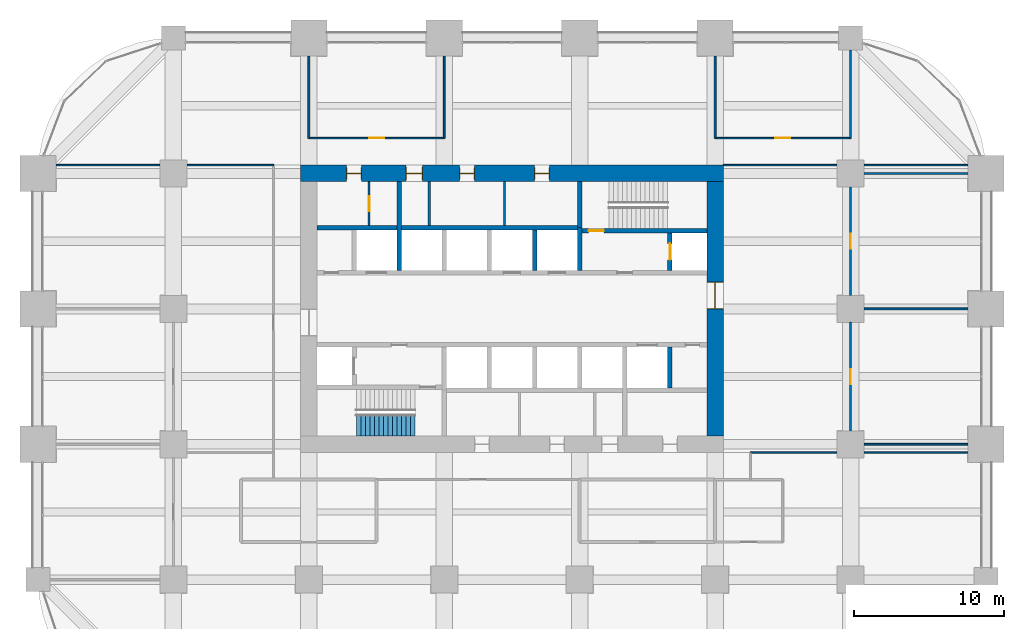
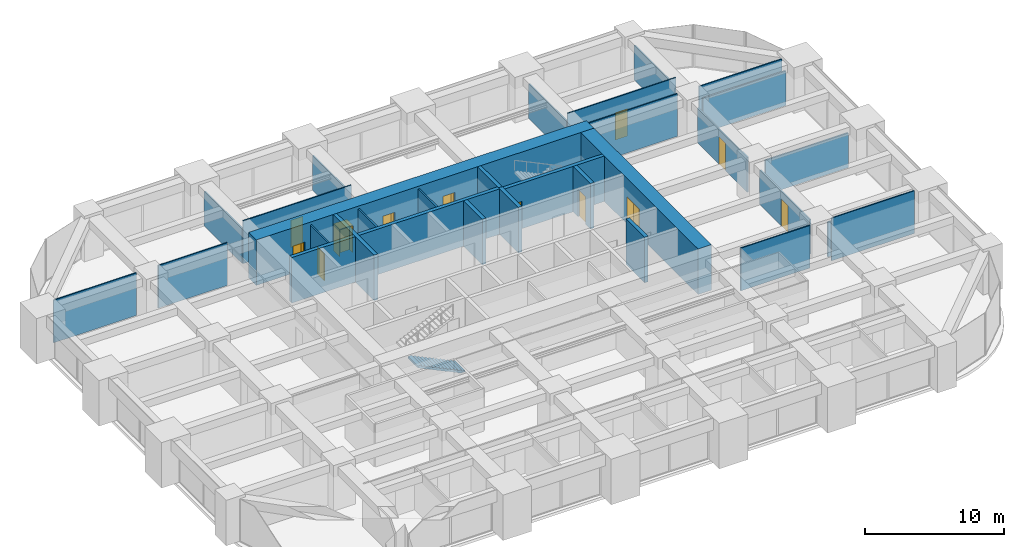
# One storey, part 38 of 40: 30 walls, 12 doors, 1 stair flight, 12 openings, 1 element without a shape of its own.
"""IFC4 building model written with IfcOpenShell, lengths in metres."""

from ifc_helpers import new_model, si_unit, direction, frame, frame_2d, origin, place, context, subcontext, project, spatial, polyline, rectangle, outline, extrude, material, layer, layer_set, type_object, element, fill, aggregate, save


model = new_model("IFC4")

# Units and contexts
model_context = context("Model", 3, precision=1e-05, world=origin(), true_north=direction((0.0, 1.0)))
body_context = subcontext(model_context, "Body", "Model", "MODEL_VIEW")
ifc_project = project(units=[si_unit("LENGTHUNIT", "METRE"), si_unit("AREAUNIT", "SQUARE_METRE"), si_unit("VOLUMEUNIT", "CUBIC_METRE"), si_unit("PLANEANGLEUNIT", "RADIAN"), si_unit("MASSUNIT", "GRAM", prefix="KILO")], contexts=[model_context])

# Site, building, storey
site_placement = place(None, origin())
site = spatial("IfcSite", under=ifc_project, at=site_placement, CompositionType="ELEMENT")
building_placement = place(site_placement, origin())
building = spatial("IfcBuilding", under=site, at=building_placement, Name="Zorevar Civic Tower", CompositionType="ELEMENT")
storey_placement = place(building_placement, frame((0.0, 0.0, 133.0)))
storey = spatial("IfcBuildingStorey", under=building, at=storey_placement, Name="L32", CompositionType="ELEMENT", Elevation=133.0)

# Wall, openings, doors
ifc_material_1 = material(Name="Concrete C50/60", Category="concrete")
ifc_layer_1 = layer(ifc_material_1, 1.10009765625)
ifc_layer_set_1 = layer_set([ifc_layer_1], Name="Core wall 1100")
wall_type_1 = type_object("IfcWallType", Name="Core wall 1100", PredefinedType="SHEAR", material=ifc_layer_set_1)
wall_1_placement = place(storey_placement, frame((45.550048828125, 36.0, 0.0), z_axis=(0.0, 0.0, 1.0), x_axis=(-1.0, 0.0, 0.0)))
wall_1 = element("IfcWall", 1, at=wall_1_placement, inside=storey, type_object=wall_type_1, Name="Core wall N L32", PredefinedType="SHEAR", context=body_context, shape_type="SweptSolid", body=[
    extrude(rectangle(XDim=28.10009765625, YDim=1.10009765625, at=frame_2d((14.050048828125, 0.0))), origin(), (0.0, 0.0, 1.0), 4.0),
])
opening_1_placement = place(wall_1_placement, frame((11.550048828125, 0.0, 0.0)))
opening_1 = element("IfcOpeningElement", 2, at=opening_1_placement, cuts=wall_1, Name="Opening L32.07", PredefinedType="OPENING", context=body_context, shape_type="SweptSolid", body=[
    extrude(rectangle(XDim=1.0, YDim=2.39990234375, at=frame_2d((0.5, 1.199951171875))), frame((0.0, 0.56005859375, 0.0), z_axis=(0.0, -1.0, 0.0), x_axis=(1.0, 0.0, 0.0)), (0.0, 0.0, 1.0), 1.1201171875),
])
opening_2_placement = place(wall_1_placement, frame((16.550048828125, 0.0, 0.0)))
opening_2 = element("IfcOpeningElement", 3, at=opening_2_placement, cuts=wall_1, Name="Opening L32.08", PredefinedType="OPENING", context=body_context, shape_type="SweptSolid", body=[
    extrude(rectangle(XDim=1.0, YDim=2.39990234375, at=frame_2d((0.5, 1.199951171875))), frame((0.0, 0.56005859375, 0.0), z_axis=(0.0, -1.0, 0.0), x_axis=(1.0, 0.0, 0.0)), (0.0, 0.0, 1.0), 1.1201171875),
])
opening_3_placement = place(wall_1_placement, frame((20.0, 0.0, 0.0)))
opening_3 = element("IfcOpeningElement", 4, at=opening_3_placement, cuts=wall_1, Name="Opening L32.09", PredefinedType="OPENING", context=body_context, shape_type="SweptSolid", body=[
    extrude(rectangle(XDim=1.10009765625, YDim=2.39990234375, at=frame_2d((0.550048828125, 1.199951171875))), frame((0.0, 0.56005859375, 0.0), z_axis=(0.0, -1.0, 0.0), x_axis=(1.0, 0.0, 0.0)), (0.0, 0.0, 1.0), 1.1201171875),
])
opening_4_placement = place(wall_1_placement, frame((24.050048828125, 0.0, 0.0)))
opening_4 = element("IfcOpeningElement", 5, at=opening_4_placement, cuts=wall_1, Name="Opening L32.10", PredefinedType="OPENING", context=body_context, shape_type="SweptSolid", body=[
    extrude(rectangle(XDim=1.0, YDim=2.39990234375, at=frame_2d((0.5, 1.199951171875))), frame((0.0, 0.56005859375, 0.0), z_axis=(0.0, -1.0, 0.0), x_axis=(1.0, 0.0, 0.0)), (0.0, 0.0, 1.0), 1.1201171875),
])
ifc_material_2 = material(Name="Timber door set", Category="wood")
door_type_1 = type_object("IfcDoorType", Name="Door D1 1000x2400", OperationType="SINGLE_SWING_LEFT", PredefinedType="DOOR", material=ifc_material_2)
door_1_placement = place(opening_1_placement, origin())
door_1 = element("IfcDoor", 6, at=door_1_placement, inside=storey, type_object=door_type_1, Name="Door L32 06", OperationType="SINGLE_SWING_LEFT", OverallHeight=2.39990234375, OverallWidth=1.0, PredefinedType="DOOR", context=body_context, shape_type="SweptSolid", body=[
    extrude(rectangle(XDim=1.0, YDim=2.39990234375, at=frame_2d((0.5, 1.199951171875))), frame((0.0, 0.02490234375, 0.0), z_axis=(0.0, -1.0, 0.0), x_axis=(1.0, 0.0, 0.0)), (0.0, 0.0, 1.0), 0.050048828125),
    extrude(rectangle(XDim=0.04, YDim=2.39990234375, at=frame_2d((0.02001953125, 1.199951171875))), frame((0.0, 0.39990234375, 0.0), z_axis=(0.0, -1.0, 0.0), x_axis=(1.0, 0.0, 0.0)), (0.0, 0.0, 1.0), 0.800048828125),
    extrude(rectangle(XDim=0.04, YDim=2.39990234375, at=frame_2d((0.97998046875, 1.199951171875))), frame((0.0, 0.39990234375, 0.0), z_axis=(0.0, -1.0, 0.0), x_axis=(1.0, 0.0, 0.0)), (0.0, 0.0, 1.0), 0.800048828125),
    extrude(rectangle(XDim=1.0, YDim=0.04, at=frame_2d((0.5, 2.3798828125))), frame((0.0, 0.39990234375, 0.0), z_axis=(0.0, -1.0, 0.0), x_axis=(1.0, 0.0, 0.0)), (0.0, 0.0, 1.0), 0.800048828125),
])
fill(opening_1, door_1)
door_2_placement = place(opening_2_placement, origin())
door_2 = element("IfcDoor", 7, at=door_2_placement, inside=storey, type_object=door_type_1, Name="Door L32 07", OperationType="SINGLE_SWING_RIGHT", OverallHeight=2.39990234375, OverallWidth=1.0, PredefinedType="DOOR", context=body_context, shape_type="SweptSolid", body=[
    extrude(rectangle(XDim=1.0, YDim=2.39990234375, at=frame_2d((0.5, 1.199951171875))), frame((0.0, 0.02490234375, 0.0), z_axis=(0.0, -1.0, 0.0), x_axis=(1.0, 0.0, 0.0)), (0.0, 0.0, 1.0), 0.050048828125),
    extrude(rectangle(XDim=0.04, YDim=2.39990234375, at=frame_2d((0.02001953125, 1.199951171875))), frame((0.0, 0.39990234375, 0.0), z_axis=(0.0, -1.0, 0.0), x_axis=(1.0, 0.0, 0.0)), (0.0, 0.0, 1.0), 0.800048828125),
    extrude(rectangle(XDim=0.04, YDim=2.39990234375, at=frame_2d((0.97998046875, 1.199951171875))), frame((0.0, 0.39990234375, 0.0), z_axis=(0.0, -1.0, 0.0), x_axis=(1.0, 0.0, 0.0)), (0.0, 0.0, 1.0), 0.800048828125),
    extrude(rectangle(XDim=1.0, YDim=0.04, at=frame_2d((0.5, 2.3798828125))), frame((0.0, 0.39990234375, 0.0), z_axis=(0.0, -1.0, 0.0), x_axis=(1.0, 0.0, 0.0)), (0.0, 0.0, 1.0), 0.800048828125),
])
fill(opening_2, door_2)
door_3_placement = place(opening_4_placement, origin())
door_3 = element("IfcDoor", 8, at=door_3_placement, inside=storey, type_object=door_type_1, Name="Door L32 09", OperationType="SINGLE_SWING_RIGHT", OverallHeight=2.39990234375, OverallWidth=1.0, PredefinedType="DOOR", context=body_context, shape_type="SweptSolid", body=[
    extrude(rectangle(XDim=1.0, YDim=2.39990234375, at=frame_2d((0.5, 1.199951171875))), frame((0.0, 0.02490234375, 0.0), z_axis=(0.0, -1.0, 0.0), x_axis=(1.0, 0.0, 0.0)), (0.0, 0.0, 1.0), 0.050048828125),
    extrude(rectangle(XDim=0.04, YDim=2.39990234375, at=frame_2d((0.02001953125, 1.199951171875))), frame((0.0, 0.39990234375, 0.0), z_axis=(0.0, -1.0, 0.0), x_axis=(1.0, 0.0, 0.0)), (0.0, 0.0, 1.0), 0.800048828125),
    extrude(rectangle(XDim=0.04, YDim=2.39990234375, at=frame_2d((0.97998046875, 1.199951171875))), frame((0.0, 0.39990234375, 0.0), z_axis=(0.0, -1.0, 0.0), x_axis=(1.0, 0.0, 0.0)), (0.0, 0.0, 1.0), 0.800048828125),
    extrude(rectangle(XDim=1.0, YDim=0.04, at=frame_2d((0.5, 2.3798828125))), frame((0.0, 0.39990234375, 0.0), z_axis=(0.0, -1.0, 0.0), x_axis=(1.0, 0.0, 0.0)), (0.0, 0.0, 1.0), 0.800048828125),
])
fill(opening_4, door_3)
ifc_material_3 = material(Name="Timber door set", Category="wood")
door_type_2 = type_object("IfcDoorType", Name="Door D5 1100x2400", OperationType="SINGLE_SWING_LEFT", PredefinedType="DOOR", material=ifc_material_3)
door_4_placement = place(opening_3_placement, origin())
door_4 = element("IfcDoor", 9, at=door_4_placement, inside=storey, type_object=door_type_2, Name="Door L32 08", OperationType="SINGLE_SWING_RIGHT", OverallHeight=2.39990234375, OverallWidth=1.10009765625, PredefinedType="DOOR", context=body_context, shape_type="SweptSolid", body=[
    extrude(rectangle(XDim=1.10009765625, YDim=2.39990234375, at=frame_2d((0.550048828125, 1.199951171875))), frame((0.0, 0.02490234375, 0.0), z_axis=(0.0, -1.0, 0.0), x_axis=(1.0, 0.0, 0.0)), (0.0, 0.0, 1.0), 0.050048828125),
    extrude(rectangle(XDim=0.04, YDim=2.39990234375, at=frame_2d((0.02001953125, 1.199951171875))), frame((0.0, 0.43994140625, 0.0), z_axis=(0.0, -1.0, 0.0), x_axis=(1.0, 0.0, 0.0)), (0.0, 0.0, 1.0), 0.880126953125),
    extrude(rectangle(XDim=0.04, YDim=2.39990234375, at=frame_2d((1.080078125, 1.199951171875))), frame((0.0, 0.43994140625, 0.0), z_axis=(0.0, -1.0, 0.0), x_axis=(1.0, 0.0, 0.0)), (0.0, 0.0, 1.0), 0.880126953125),
    extrude(rectangle(XDim=1.10009765625, YDim=0.04, at=frame_2d((0.550048828125, 2.3798828125))), frame((0.0, 0.43994140625, 0.0), z_axis=(0.0, -1.0, 0.0), x_axis=(1.0, 0.0, 0.0)), (0.0, 0.0, 1.0), 0.880126953125),
])
fill(opening_3, door_4)

# Wall, opening, door
wall_2_placement = place(storey_placement, frame((45.0, 18.550048828125, 0.0), z_axis=(0.0, 0.0, 1.0), x_axis=(0.0, 1.0, 0.0)))
wall_2 = element("IfcWall", 10, at=wall_2_placement, inside=storey, type_object=wall_type_1, Name="Core wall E L32", PredefinedType="SHEAR", context=body_context, shape_type="SweptSolid", body=[
    extrude(rectangle(XDim=16.89990234375, YDim=1.10009765625, at=frame_2d((8.449951171875, 0.0))), origin(), (0.0, 0.0, 1.0), 4.0),
])
opening_5_placement = place(wall_2_placement, frame((8.449951171875, 0.0, 0.0)))
opening_5 = element("IfcOpeningElement", 11, at=opening_5_placement, cuts=wall_2, Name="Opening L32.02", PredefinedType="OPENING", context=body_context, shape_type="SweptSolid", body=[
    extrude(rectangle(XDim=1.800048828125, YDim=2.39990234375, at=frame_2d((0.89990234375, 1.199951171875))), frame((0.0, 0.56005859375, 0.0), z_axis=(0.0, -1.0, 0.0), x_axis=(1.0, 0.0, 0.0)), (0.0, 0.0, 1.0), 1.1201171875),
])
ifc_material_4 = material(Name="Steel door set", Category="steel")
door_type_3 = type_object("IfcDoorType", Name="Fire door FD2 1800x2400", OperationType="DOUBLE_DOOR_DOUBLE_SWING", PredefinedType="DOOR", material=ifc_material_4)
door_5_placement = place(opening_5_placement, origin())
door_5 = element("IfcDoor", 12, at=door_5_placement, inside=storey, type_object=door_type_3, Name="Door L32 01", OperationType="DOUBLE_DOOR_DOUBLE_SWING", OverallHeight=2.39990234375, OverallWidth=1.800048828125, PredefinedType="DOOR", context=body_context, shape_type="SweptSolid", body=[
    extrude(rectangle(XDim=1.800048828125, YDim=2.39990234375, at=frame_2d((0.89990234375, 1.199951171875))), frame((0.0, 0.030029296875, 0.0), z_axis=(0.0, -1.0, 0.0), x_axis=(1.0, 0.0, 0.0)), (0.0, 0.0, 1.0), 0.06005859375),
    extrude(rectangle(XDim=0.04, YDim=2.39990234375, at=frame_2d((0.02001953125, 1.199951171875))), frame((0.0, 0.5498046875, 0.0), z_axis=(0.0, -1.0, 0.0), x_axis=(1.0, 0.0, 0.0)), (0.0, 0.0, 1.0), 1.099609375),
    extrude(rectangle(XDim=0.04, YDim=2.39990234375, at=frame_2d((1.780029296875, 1.199951171875))), frame((0.0, 0.5498046875, 0.0), z_axis=(0.0, -1.0, 0.0), x_axis=(1.0, 0.0, 0.0)), (0.0, 0.0, 1.0), 1.099609375),
    extrude(rectangle(XDim=1.800048828125, YDim=0.04, at=frame_2d((0.89990234375, 2.3798828125))), frame((0.0, 0.5498046875, 0.0), z_axis=(0.0, -1.0, 0.0), x_axis=(1.0, 0.0, 0.0)), (0.0, 0.0, 1.0), 1.099609375),
])
fill(opening_5, door_5)

# Walls
ifc_material_5 = material(Name="Laminated glass in black aluminium frame", Category="aluminium")
ifc_layer_2 = layer(ifc_material_5, 0.10009765625)
ifc_layer_set_2 = layer_set([ifc_layer_2], Name="Glazed partition 100")
wall_type_2 = type_object("IfcWallType", Name="Glazed partition 100", PredefinedType="PARTITIONING", material=ifc_layer_set_2)
wall_3_placement = place(storey_placement, frame((47.35009765625, 17.449951171875, 0.0), z_axis=(0.0, 0.0, 1.0), x_axis=(1.0, 0.0, 0.0)))
element("IfcWall", 13, at=wall_3_placement, inside=storey, type_object=wall_type_2, Name="Glazed partition 100 L32", PredefinedType="PARTITIONING", context=body_context, shape_type="SweptSolid", body=[
    extrude(rectangle(XDim=5.75, YDim=0.10009765625, at=frame_2d((2.875, 0.0))), origin(), (0.0, 0.0, 1.0), 3.75),
])
for number, where, z_axis, x_axis, name in (
    (14, (54.89990234375, 17.449951171875, 0.0), (0.0, 0.0, 1.0), (1.0, 0.0, 0.0), "Glazed partition 100 L32"),
    (15, (1.199951171875, 36.550048828125, 0.0), (0.0, 0.0, 1.0), (1.0, 0.0, 0.0), "Glazed partition 100 L32"),
):
    element("IfcWall", number, at=place(storey_placement, frame(where, z_axis=z_axis, x_axis=x_axis)), inside=storey, type_object=wall_type_2, Name=name, PredefinedType="PARTITIONING", context=body_context, shape_type="SweptSolid", body=[
        extrude(rectangle(XDim=6.900146484375, YDim=0.10009765625, at=frame_2d((3.4501953125, 0.0))), origin(), (0.0, 0.0, 1.0), 3.75),
    ])
wall_4_placement = place(storey_placement, frame((9.89990234375, 36.550048828125, 0.0), z_axis=(0.0, 0.0, 1.0), x_axis=(1.0, 0.0, 0.0)))
element("IfcWall", 16, at=wall_4_placement, inside=storey, type_object=wall_type_2, Name="Glazed partition 100 L32", PredefinedType="PARTITIONING", context=body_context, shape_type="SweptSolid", body=[
    extrude(rectangle(XDim=5.75, YDim=0.10009765625, at=frame_2d((2.875, 0.0))), origin(), (0.0, 0.0, 1.0), 3.75),
])
wall_5_placement = place(storey_placement, frame((45.550048828125, 36.550048828125, 0.0), z_axis=(0.0, 0.0, 1.0), x_axis=(1.0, 0.0, 0.0)))
element("IfcWall", 17, at=wall_5_placement, inside=storey, type_object=wall_type_2, Name="Glazed partition 100 L32", PredefinedType="PARTITIONING", context=body_context, shape_type="SweptSolid", body=[
    extrude(rectangle(XDim=7.550048828125, YDim=0.10009765625, at=frame_2d((3.77490234375, 0.0))), origin(), (0.0, 0.0, 1.0), 3.75),
])
wall_6_placement = place(storey_placement, frame((54.89990234375, 36.550048828125, 0.0), z_axis=(0.0, 0.0, 1.0), x_axis=(1.0, 0.0, 0.0)))
element("IfcWall", 18, at=wall_6_placement, inside=storey, type_object=wall_type_2, Name="Glazed partition 100 L32", PredefinedType="PARTITIONING", context=body_context, shape_type="SweptSolid", body=[
    extrude(rectangle(XDim=6.900146484375, YDim=0.10009765625, at=frame_2d((3.4501953125, 0.0))), origin(), (0.0, 0.0, 1.0), 3.75),
])

# Wall, opening, door
wall_7_placement = place(storey_placement, frame((18.0, 38.35009765625, 0.0), z_axis=(0.0, 0.0, 1.0), x_axis=(1.0, 0.0, 0.0)))
wall_7 = element("IfcWall", 19, at=wall_7_placement, inside=storey, type_object=wall_type_2, Name="Glazed partition 100 L32", PredefinedType="PARTITIONING", context=body_context, shape_type="SweptSolid", body=[
    extrude(rectangle(XDim=9.0, YDim=0.10009765625, at=frame_2d((4.5, 0.0))), origin(), (0.0, 0.0, 1.0), 3.75),
])
opening_6_placement = place(wall_7_placement, frame((4.0, 0.0, 0.0)))
opening_6 = element("IfcOpeningElement", 20, at=opening_6_placement, cuts=wall_7, Name="Opening L32.31", PredefinedType="OPENING", context=body_context, shape_type="SweptSolid", body=[
    extrude(rectangle(XDim=1.0, YDim=2.39990234375, at=frame_2d((0.5, 1.199951171875))), frame((0.0, 0.06005859375, 0.0), z_axis=(0.0, -1.0, 0.0), x_axis=(1.0, 0.0, 0.0)), (0.0, 0.0, 1.0), 0.1201171875),
])
ifc_material_6 = material(Name="Timber door set", Category="wood")
door_type_4 = type_object("IfcDoorType", Name="Glazed door GD1 1000x2400", OperationType="SINGLE_SWING_LEFT", PredefinedType="DOOR", material=ifc_material_6)
door_6_placement = place(opening_6_placement, origin())
door_6 = element("IfcDoor", 21, at=door_6_placement, inside=storey, type_object=door_type_4, Name="Door L32 D1", OperationType="SINGLE_SWING_LEFT", OverallHeight=2.39990234375, OverallWidth=1.0, PredefinedType="DOOR", context=body_context, shape_type="SweptSolid", body=[
    extrude(rectangle(XDim=1.0, YDim=2.39990234375, at=frame_2d((0.5, 1.199951171875))), frame((0.0, 0.02001953125, 0.0), z_axis=(0.0, -1.0, 0.0), x_axis=(1.0, 0.0, 0.0)), (0.0, 0.0, 1.0), 0.0400390625),
])
fill(opening_6, door_6)

wall_8_placement = place(storey_placement, frame((45.0, 38.35009765625, 0.0), z_axis=(0.0, 0.0, 1.0), x_axis=(1.0, 0.0, 0.0)))
wall_8 = element("IfcWall", 22, at=wall_8_placement, inside=storey, type_object=wall_type_2, Name="Glazed partition 100 L32", PredefinedType="PARTITIONING", context=body_context, shape_type="SweptSolid", body=[
    extrude(rectangle(XDim=9.0, YDim=0.10009765625, at=frame_2d((4.5, 0.0))), origin(), (0.0, 0.0, 1.0), 3.75),
])
opening_7_placement = place(wall_8_placement, frame((4.0, 0.0, 0.0)))
opening_7 = element("IfcOpeningElement", 23, at=opening_7_placement, cuts=wall_8, Name="Opening L32.32", PredefinedType="OPENING", context=body_context, shape_type="SweptSolid", body=[
    extrude(rectangle(XDim=1.0, YDim=2.39990234375, at=frame_2d((0.5, 1.199951171875))), frame((0.0, 0.06005859375, 0.0), z_axis=(0.0, -1.0, 0.0), x_axis=(1.0, 0.0, 0.0)), (0.0, 0.0, 1.0), 0.1201171875),
])
door_7_placement = place(opening_7_placement, origin())
door_7 = element("IfcDoor", 24, at=door_7_placement, inside=storey, type_object=door_type_4, Name="Door L32 D1", OperationType="SINGLE_SWING_RIGHT", OverallHeight=2.39990234375, OverallWidth=1.0, PredefinedType="DOOR", context=body_context, shape_type="SweptSolid", body=[
    extrude(rectangle(XDim=1.0, YDim=2.39990234375, at=frame_2d((0.5, 1.199951171875))), frame((0.0, 0.02001953125, 0.0), z_axis=(0.0, -1.0, 0.0), x_axis=(1.0, 0.0, 0.0)), (0.0, 0.0, 1.0), 0.0400390625),
])
fill(opening_7, door_7)

ifc_material_7 = material(Name="Concrete C40/50", Category="concrete")
ifc_layer_3 = layer(ifc_material_7, 0.300048828125)
ifc_layer_set_3 = layer_set([ifc_layer_3], Name="Inner core wall 300")
wall_type_3 = type_object("IfcWallType", Name="Inner core wall 300", PredefinedType="SHEAR", material=ifc_layer_set_3)
wall_9_placement = place(storey_placement, frame((36.14990234375, 32.199951171875, 0.0), z_axis=(0.0, 0.0, 1.0), x_axis=(1.0, 0.0, 0.0)))
wall_9 = element("IfcWall", 25, at=wall_9_placement, inside=storey, type_object=wall_type_3, Name="Inner core wall N00 L32", PredefinedType="SHEAR", context=body_context, shape_type="SweptSolid", body=[
    extrude(rectangle(XDim=8.300048828125, YDim=0.300048828125, at=frame_2d((4.14990234375, 0.0))), origin(), (0.0, 0.0, 1.0), 4.0),
])
opening_8_placement = place(wall_9_placement, frame((0.449951171875, 0.0, 0.0)))
opening_8 = element("IfcOpeningElement", 26, at=opening_8_placement, cuts=wall_9, Name="Opening L32.12", PredefinedType="OPENING", context=body_context, shape_type="SweptSolid", body=[
    extrude(rectangle(XDim=1.0, YDim=2.39990234375, at=frame_2d((0.5, 1.199951171875))), frame((0.0, 0.159912109375, 0.0), z_axis=(0.0, -1.0, 0.0), x_axis=(1.0, 0.0, 0.0)), (0.0, 0.0, 1.0), 0.320068359375),
])
ifc_material_8 = material(Name="Steel door set", Category="steel")
door_type_5 = type_object("IfcDoorType", Name="Fire door FD1 1000x2400", OperationType="SINGLE_SWING_LEFT", PredefinedType="DOOR", material=ifc_material_8)
door_8_placement = place(opening_8_placement, origin())
door_8 = element("IfcDoor", 27, at=door_8_placement, inside=storey, type_object=door_type_5, Name="Door L32 11", OperationType="SINGLE_SWING_RIGHT", OverallHeight=2.39990234375, OverallWidth=1.0, PredefinedType="DOOR", context=body_context, shape_type="SweptSolid", body=[
    extrude(rectangle(XDim=1.0, YDim=2.39990234375, at=frame_2d((0.5, 1.199951171875))), frame((0.0, 0.030029296875, 0.0), z_axis=(0.0, -1.0, 0.0), x_axis=(1.0, 0.0, 0.0)), (0.0, 0.0, 1.0), 0.06005859375),
])
fill(opening_8, door_8)

# Wall
wall_10_placement = place(storey_placement, frame((36.0, 32.39990234375, 0.0), z_axis=(0.0, 0.0, 1.0), x_axis=(0.0, 1.0, 0.0)))
element("IfcWall", 28, at=wall_10_placement, inside=storey, type_object=wall_type_3, Name="Inner core wall N01 L32", PredefinedType="SHEAR", context=body_context, shape_type="SweptSolid", body=[
    extrude(rectangle(XDim=3.050048828125, YDim=0.300048828125, at=frame_2d((1.52490234375, 0.0))), origin(), (0.0, 0.0, 1.0), 4.0),
])

# Wall, opening, door
wall_11_placement = place(storey_placement, frame((42.0, 29.550048828125, 0.0), z_axis=(0.0, 0.0, 1.0), x_axis=(0.0, 1.0, 0.0)))
wall_11 = element("IfcWall", 29, at=wall_11_placement, inside=storey, type_object=wall_type_3, Name="Inner core wall N02 L32", PredefinedType="SHEAR", context=body_context, shape_type="SweptSolid", body=[
    extrude(rectangle(XDim=2.5, YDim=0.300048828125, at=frame_2d((1.25, 0.0))), origin(), (0.0, 0.0, 1.0), 4.0),
])
opening_9_placement = place(wall_11_placement, frame((0.699951171875, 0.0, 0.0)))
opening_9 = element("IfcOpeningElement", 30, at=opening_9_placement, cuts=wall_11, Name="Opening L32.FL2", PredefinedType="OPENING", context=body_context, shape_type="SweptSolid", body=[
    extrude(rectangle(XDim=1.10009765625, YDim=2.39990234375, at=frame_2d((0.550048828125, 1.199951171875))), frame((0.0, 0.159912109375, 0.0), z_axis=(0.0, -1.0, 0.0), x_axis=(1.0, 0.0, 0.0)), (0.0, 0.0, 1.0), 0.320068359375),
])
ifc_material_9 = material(Name="Steel door set", Category="steel")
door_type_6 = type_object("IfcDoorType", Name="Firefighting lift landing door LD3 1100x2400", OperationType="DOUBLE_DOOR_SLIDING", PredefinedType="DOOR", material=ifc_material_9)
door_9_placement = place(opening_9_placement, origin())
door_9 = element("IfcDoor", 31, at=door_9_placement, inside=storey, type_object=door_type_6, Name="Landing door FL2 L32", OperationType="DOUBLE_DOOR_SLIDING", OverallHeight=2.39990234375, OverallWidth=1.10009765625, PredefinedType="DOOR", context=body_context, shape_type="SweptSolid", body=[
    extrude(rectangle(XDim=1.10009765625, YDim=2.39990234375, at=frame_2d((0.550048828125, 1.199951171875))), frame((0.0, 0.030029296875, 0.0), z_axis=(0.0, -1.0, 0.0), x_axis=(1.0, 0.0, 0.0)), (0.0, 0.0, 1.0), 0.06005859375),
])
fill(opening_9, door_9)

# Walls
wall_12_placement = place(storey_placement, frame((18.550048828125, 32.39990234375, 0.0), z_axis=(0.0, 0.0, 1.0), x_axis=(1.0, 0.0, 0.0)))
element("IfcWall", 32, at=wall_12_placement, inside=storey, type_object=wall_type_3, Name="Inner core wall N04 L32", PredefinedType="SHEAR", context=body_context, shape_type="SweptSolid", body=[
    extrude(rectangle(XDim=17.300048828125, YDim=0.300048828125, at=frame_2d((8.64990234375, 0.0))), origin(), (0.0, 0.0, 1.0), 4.0),
])
wall_13_placement = place(storey_placement, frame((33.0, 29.550048828125, 0.0), z_axis=(0.0, 0.0, 1.0), x_axis=(0.0, 1.0, 0.0)))
element("IfcWall", 33, at=wall_13_placement, inside=storey, type_object=wall_type_3, Name="Inner core wall N05 L32", PredefinedType="SHEAR", context=body_context, shape_type="SweptSolid", body=[
    extrude(rectangle(XDim=2.699951171875, YDim=0.300048828125, at=frame_2d((1.35009765625, 0.0))), origin(), (0.0, 0.0, 1.0), 4.0),
])
wall_14_placement = place(storey_placement, frame((24.0, 29.550048828125, 0.0), z_axis=(0.0, 0.0, 1.0), x_axis=(0.0, 1.0, 0.0)))
element("IfcWall", 34, at=wall_14_placement, inside=storey, type_object=wall_type_3, Name="Inner core wall N08 L32", PredefinedType="SHEAR", context=body_context, shape_type="SweptSolid", body=[
    extrude(rectangle(XDim=5.89990234375, YDim=0.300048828125, at=frame_2d((2.949951171875, 0.0))), origin(), (0.0, 0.0, 1.0), 4.0),
])
wall_15_placement = place(storey_placement, frame((42.0, 21.75, 0.0), z_axis=(0.0, 0.0, 1.0), x_axis=(0.0, 1.0, 0.0)))
element("IfcWall", 35, at=wall_15_placement, inside=storey, type_object=wall_type_3, Name="Inner core wall S09 L32", PredefinedType="SHEAR", context=body_context, shape_type="SweptSolid", body=[
    extrude(rectangle(XDim=2.699951171875, YDim=0.300048828125, at=frame_2d((1.35009765625, 0.0))), origin(), (0.0, 0.0, 1.0), 4.0),
])
wall_16_placement = place(storey_placement, frame((36.0, 29.550048828125, 0.0), z_axis=(0.0, 0.0, 1.0), x_axis=(0.0, 1.0, 0.0)))
element("IfcWall", 36, at=wall_16_placement, inside=storey, type_object=wall_type_3, Name="Inner core wall N10 L32", PredefinedType="SHEAR", context=body_context, shape_type="SweptSolid", body=[
    extrude(rectangle(XDim=2.849853515625, YDim=0.300048828125, at=frame_2d((1.4248046875, 0.0))), origin(), (0.0, 0.0, 1.0), 4.0),
])
ifc_material_10 = material(Name="Gypsum board on steel studs", Category="steel")
ifc_layer_4 = layer(ifc_material_10, 0.1201171875)
ifc_layer_set_4 = layer_set([ifc_layer_4], Name="Partition 120")
wall_type_4 = type_object("IfcWallType", Name="Partition 120", PredefinedType="PARTITIONING", material=ifc_layer_set_4)
for number, where, z_axis, x_axis, name in (
    (37, (54.89990234375, 18.0, 0.0), (0.0, 0.0, 1.0), (1.0, 0.0, 0.0), "Partition 120 L32"),
    (38, (54.89990234375, 27.0, 0.0), (0.0, 0.0, 1.0), (1.0, 0.0, 0.0), "Partition 120 L32"),
    (39, (54.89990234375, 36.0, 0.0), (0.0, 0.0, 1.0), (1.0, 0.0, 0.0), "Partition 120 L32"),
):
    element("IfcWall", number, at=place(storey_placement, frame(where, z_axis=z_axis, x_axis=x_axis)), inside=storey, type_object=wall_type_4, Name=name, PredefinedType="PARTITIONING", context=body_context, shape_type="SweptSolid", body=[
        extrude(rectangle(XDim=6.900146484375, YDim=0.1201171875, at=frame_2d((3.4501953125, 0.0))), origin(), (0.0, 0.0, 1.0), 3.050048828125),
    ])
for number, where, z_axis, x_axis, name in (
    (40, (18.0, 38.35009765625, 0.0), (0.0, 0.0, 1.0), (0.0, 1.0, 0.0), "Partition 120 L32"),
    (41, (27.0, 38.35009765625, 0.0), (0.0, 0.0, 1.0), (0.0, 1.0, 0.0), "Partition 120 L32"),
    (42, (45.0, 38.35009765625, 0.0), (0.0, 0.0, 1.0), (0.0, 1.0, 0.0), "Partition 120 L32"),
):
    element("IfcWall", number, at=place(storey_placement, frame(where, z_axis=z_axis, x_axis=x_axis)), inside=storey, type_object=wall_type_4, Name=name, PredefinedType="PARTITIONING", context=body_context, shape_type="SweptSolid", body=[
        extrude(rectangle(XDim=5.449951171875, YDim=0.1201171875, at=frame_2d((2.72509765625, 0.0))), origin(), (0.0, 0.0, 1.0), 3.050048828125),
    ])

# Wall, opening, door
wall_17_placement = place(storey_placement, frame((54.0, 18.89990234375, 0.0), z_axis=(0.0, 0.0, 1.0), x_axis=(0.0, 1.0, 0.0)))
wall_17 = element("IfcWall", 43, at=wall_17_placement, inside=storey, type_object=wall_type_4, Name="Partition 120 L32", PredefinedType="PARTITIONING", context=body_context, shape_type="SweptSolid", body=[
    extrude(rectangle(XDim=7.2001953125, YDim=0.1201171875, at=frame_2d((3.60009765625, 0.0))), origin(), (0.0, 0.0, 1.0), 3.050048828125),
])
opening_10_placement = place(wall_17_placement, frame((3.10009765625, 0.0, 0.0)))
opening_10 = element("IfcOpeningElement", 44, at=opening_10_placement, cuts=wall_17, Name="Opening L32.36", PredefinedType="OPENING", context=body_context, shape_type="SweptSolid", body=[
    extrude(rectangle(XDim=1.0, YDim=2.39990234375, at=frame_2d((0.5, 1.199951171875))), frame((0.0, 0.070068359375, 0.0), z_axis=(0.0, -1.0, 0.0), x_axis=(1.0, 0.0, 0.0)), (0.0, 0.0, 1.0), 0.14013671875),
])
door_10_placement = place(opening_10_placement, origin())
door_10 = element("IfcDoor", 45, at=door_10_placement, inside=storey, type_object=door_type_1, Name="Door L32 D1", OperationType="SINGLE_SWING_LEFT", OverallHeight=2.39990234375, OverallWidth=1.0, PredefinedType="DOOR", context=body_context, shape_type="SweptSolid", body=[
    extrude(rectangle(XDim=1.0, YDim=2.39990234375, at=frame_2d((0.5, 1.199951171875))), frame((0.0, 0.02490234375, 0.0), z_axis=(0.0, -1.0, 0.0), x_axis=(1.0, 0.0, 0.0)), (0.0, 0.0, 1.0), 0.050048828125),
])
fill(opening_10, door_10)

wall_18_placement = place(storey_placement, frame((54.0, 27.89990234375, 0.0), z_axis=(0.0, 0.0, 1.0), x_axis=(0.0, 1.0, 0.0)))
wall_18 = element("IfcWall", 46, at=wall_18_placement, inside=storey, type_object=wall_type_4, Name="Partition 120 L32", PredefinedType="PARTITIONING", context=body_context, shape_type="SweptSolid", body=[
    extrude(rectangle(XDim=7.2001953125, YDim=0.1201171875, at=frame_2d((3.60009765625, 0.0))), origin(), (0.0, 0.0, 1.0), 3.050048828125),
])
opening_11_placement = place(wall_18_placement, frame((3.10009765625, 0.0, 0.0)))
opening_11 = element("IfcOpeningElement", 47, at=opening_11_placement, cuts=wall_18, Name="Opening L32.37", PredefinedType="OPENING", context=body_context, shape_type="SweptSolid", body=[
    extrude(rectangle(XDim=1.0, YDim=2.39990234375, at=frame_2d((0.5, 1.199951171875))), frame((0.0, 0.070068359375, 0.0), z_axis=(0.0, -1.0, 0.0), x_axis=(1.0, 0.0, 0.0)), (0.0, 0.0, 1.0), 0.14013671875),
])
door_11_placement = place(opening_11_placement, origin())
door_11 = element("IfcDoor", 48, at=door_11_placement, inside=storey, type_object=door_type_1, Name="Door L32 D1", OperationType="SINGLE_SWING_RIGHT", OverallHeight=2.39990234375, OverallWidth=1.0, PredefinedType="DOOR", context=body_context, shape_type="SweptSolid", body=[
    extrude(rectangle(XDim=1.0, YDim=2.39990234375, at=frame_2d((0.5, 1.199951171875))), frame((0.0, 0.02490234375, 0.0), z_axis=(0.0, -1.0, 0.0), x_axis=(1.0, 0.0, 0.0)), (0.0, 0.0, 1.0), 0.050048828125),
])
fill(opening_11, door_11)

# Wall
wall_19_placement = place(storey_placement, frame((54.0, 38.35009765625, 0.0), z_axis=(0.0, 0.0, 1.0), x_axis=(0.0, 1.0, 0.0)))
element("IfcWall", 49, at=wall_19_placement, inside=storey, type_object=wall_type_4, Name="Partition 120 L32", PredefinedType="PARTITIONING", context=body_context, shape_type="SweptSolid", body=[
    extrude(rectangle(XDim=5.849853515625, YDim=0.1201171875, at=frame_2d((2.9248046875, 0.0))), origin(), (0.0, 0.0, 1.0), 3.050048828125),
])

# Wall, opening, door
wall_20_placement = place(storey_placement, frame((22.0, 32.550048828125, 0.0), z_axis=(0.0, 0.0, 1.0), x_axis=(0.0, 1.0, 0.0)))
wall_20 = element("IfcWall", 50, at=wall_20_placement, inside=storey, type_object=wall_type_4, Name="Partition L32", PredefinedType="PARTITIONING", context=body_context, shape_type="SweptSolid", body=[
    extrude(rectangle(XDim=2.89990234375, YDim=0.1201171875, at=frame_2d((1.449951171875, 0.0))), origin(), (0.0, 0.0, 1.0), 3.75),
])
opening_12_placement = place(wall_20_placement, frame((0.949951171875, 0.0, 0.0)))
opening_12 = element("IfcOpeningElement", 51, at=opening_12_placement, cuts=wall_20, Name="Opening L32.38", PredefinedType="OPENING", context=body_context, shape_type="SweptSolid", body=[
    extrude(rectangle(XDim=1.0, YDim=2.39990234375, at=frame_2d((0.5, 1.199951171875))), frame((0.0, 0.070068359375, 0.0), z_axis=(0.0, -1.0, 0.0), x_axis=(1.0, 0.0, 0.0)), (0.0, 0.0, 1.0), 0.14013671875),
])
door_12_placement = place(opening_12_placement, origin())
door_12 = element("IfcDoor", 52, at=door_12_placement, inside=storey, type_object=door_type_5, Name="Door L32 EN", OperationType="SINGLE_SWING_LEFT", OverallHeight=2.39990234375, OverallWidth=1.0, PredefinedType="DOOR", context=body_context, shape_type="SweptSolid", body=[
    extrude(rectangle(XDim=1.0, YDim=2.39990234375, at=frame_2d((0.5, 1.199951171875))), frame((0.0, 0.030029296875, 0.0), z_axis=(0.0, -1.0, 0.0), x_axis=(1.0, 0.0, 0.0)), (0.0, 0.0, 1.0), 0.06005859375),
])
fill(opening_12, door_12)

# Walls
ifc_material_11 = material(Name="Gypsum board on steel studs, moisture resistant", Category="steel")
ifc_layer_5 = layer(ifc_material_11, 0.14990234375)
ifc_layer_set_5 = layer_set([ifc_layer_5], Name="WC partition 150")
wall_type_5 = type_object("IfcWallType", Name="WC partition 150", PredefinedType="PARTITIONING", material=ifc_layer_set_5)
for number, where, z_axis, x_axis, name in (
    (53, (31.0, 32.550048828125, 0.0), (0.0, 0.0, 1.0), (0.0, 1.0, 0.0), "WC partition L32"),
    (54, (26.0, 32.550048828125, 0.0), (0.0, 0.0, 1.0), (0.0, 1.0, 0.0), "WC partition L32"),
):
    element("IfcWall", number, at=place(storey_placement, frame(where, z_axis=z_axis, x_axis=x_axis)), inside=storey, type_object=wall_type_5, Name=name, PredefinedType="PARTITIONING", context=body_context, shape_type="SweptSolid", body=[
        extrude(rectangle(XDim=2.89990234375, YDim=0.14990234375, at=frame_2d((1.449951171875, 0.0))), origin(), (0.0, 0.0, 1.0), 3.75),
    ])

# Stair, stair flight
ifc_material_12 = material(Name="Precast concrete C40/50", Category="concrete")
stair_type = type_object("IfcStairType", Name="Stair ST 28R", PredefinedType="HALF_TURN_STAIR", material=ifc_material_12)
stair_placement = place(storey_placement, origin())
stair = element("IfcStair", 55, at=stair_placement, inside=storey, type_object=stair_type, Name="Stair ST1 L32", PredefinedType="HALF_TURN_STAIR")
ifc_material_13 = material(Name="Precast concrete C40/50", Category="concrete")
stair_flight_type = type_object("IfcStairFlightType", Name="Stair flight", PredefinedType="STRAIGHT", material=ifc_material_13)
stair_flight_placement = place(storey_placement, frame((25.050048828125, 19.262451171875, 0.0), z_axis=(0.0, 0.0, 1.0), x_axis=(-1.0, 0.0, 0.0)))
stair_flight = element("IfcStairFlight", 56, at=stair_flight_placement, type_object=stair_flight_type, Name="ST1 flight 1", NumberOfRisers=14, NumberOfTreads=13, PredefinedType="STRAIGHT", RiserHeight=0.142857143, TreadLength=0.3, context=body_context, shape_type="SweptSolid", body=[
    extrude(outline(polyline([(0.0, 0.0), (0.0, 0.142822265625), (0.300048828125, 0.142822265625), (0.300048828125, 0.28564453125), (0.60009765625, 0.28564453125), (0.60009765625, 0.428466796875), (0.89990234375, 0.428466796875), (0.89990234375, 0.571533203125), (1.199951171875, 0.571533203125), (1.199951171875, 0.71435546875), (1.5, 0.71435546875), (1.5, 0.857177734375), (1.800048828125, 0.857177734375), (1.800048828125, 1.0), (2.10009765625, 1.0), (2.10009765625, 1.142822265625), (2.39990234375, 1.142822265625), (2.39990234375, 1.28564453125), (2.699951171875, 1.28564453125), (2.699951171875, 1.428466796875), (3.0, 1.428466796875), (3.0, 1.571533203125), (3.300048828125, 1.571533203125), (3.300048828125, 1.71435546875), (3.60009765625, 1.71435546875), (3.60009765625, 1.857177734375), (3.89990234375, 1.857177734375), (3.89990234375, 2.0), (3.89990234375, 1.691162109375), (0.3486328125, 0.0), (0.0, 0.0)])), frame((0.0, 0.71240234375, 0.0), z_axis=(0.0, -1.0, 0.0), x_axis=(1.0, 0.0, 0.0)), (0.0, 0.0, 1.0), 1.425048828125),
])
aggregate(stair, [stair_flight])

save(model, "model.ifc")
